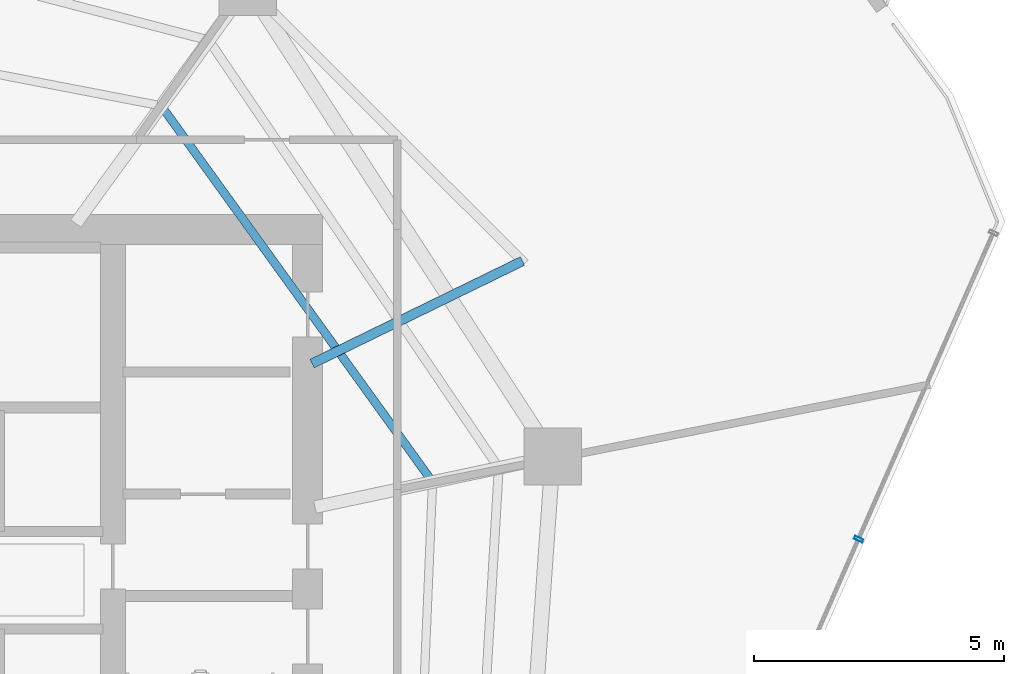
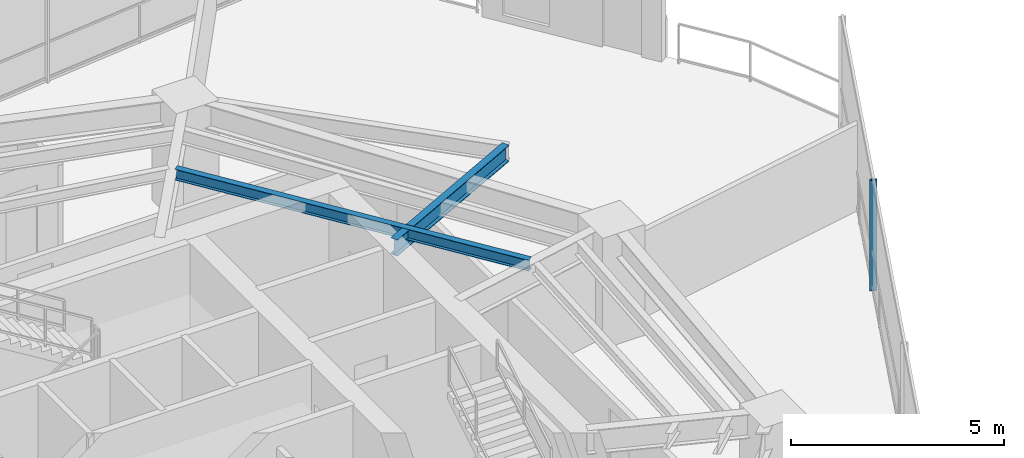
# One storey, part 14 of 30: 2 beams, 1 member, 1 element without a shape of its own.
"""IFC4 building model written with IfcOpenShell, lengths in metres."""

import ifcopenshell
import ifcopenshell.guid

model = None  # the IFC model being written
_history = None  # IfcOwnerHistory: only IFC2X3 demands one
_inside = {}  # id of a spatial element -> (the spatial element, [elements in it])
_under = {}  # id of a project, library or spatial element -> (it, [spatial elements below it])
_declared = {}  # id of a project -> (the project, [libraries it declares])
_typed = {}  # id of a type object -> (the type object, [elements of that type])
_made_of = {}  # id of a material, layer set ... -> (it, [elements and type objects made of it])


def new_model(schema):
    """Start an empty IFC model of exactly this schema.

    Asked for "IFC4X3", IfcOpenShell would pick the latest addendum, in which some entities
    have other attributes; the version numbers below select the first issue.
    IFC2X3 requires an IfcOwnerHistory on every rooted entity: one is made here for all.
    """
    global model, _history
    if schema == "IFC4X3":
        model = ifcopenshell.file(schema_version=(4, 3, 0, 0))
    else:
        model = ifcopenshell.file(schema=schema)
    _inside.clear()
    _under.clear()
    _declared.clear()
    _typed.clear()
    _made_of.clear()
    _history = None
    if model.schema == "IFC2X3":
        org = make("IfcOrganization", Name="unknown")
        user = make(
            "IfcPersonAndOrganization",
            ThePerson=make("IfcPerson", FamilyName="unknown"),
            TheOrganization=org,
        )
        app = make(
            "IfcApplication",
            ApplicationDeveloper=org,
            Version="unknown",
            ApplicationFullName="unknown",
            ApplicationIdentifier="unknown",
        )
        _history = make(
            "IfcOwnerHistory",
            OwningUser=user,
            OwningApplication=app,
            ChangeAction="ADDED",
            CreationDate=0,
        )
    return model


def make(cls, **values):
    """One entity of the class cls with the attributes given. An attribute that is None is left unset."""
    return model.create_entity(
        cls, **{name: value for name, value in values.items() if value is not None}
    )


def rooted(cls, **values):
    """An entity with a GlobalId (a new one), such as an element, a storey or a relation."""
    return make(cls, GlobalId=ifcopenshell.guid.new(), OwnerHistory=_history, **values)


def si_unit(unit_type, name, prefix=None):
    """IfcSIUnit, for example si_unit("LENGTHUNIT", "METRE", prefix="MILLI")."""
    return make("IfcSIUnit", UnitType=unit_type, Prefix=prefix, Name=name)


def assignment(units):
    """IfcUnitAssignment: the units of a project."""
    return None if units is None else make("IfcUnitAssignment", Units=units)


def point(xyz):
    """IfcCartesianPoint."""
    return None if xyz is None else make("IfcCartesianPoint", Coordinates=xyz)


def direction(xyz):
    """IfcDirection."""
    return None if xyz is None else make("IfcDirection", DirectionRatios=xyz)


def frame(location, z_axis=None, x_axis=None):
    """IfcAxis2Placement3D, a coordinate frame: its origin and axes. An axis left out is left unset."""
    return make(
        "IfcAxis2Placement3D",
        Location=point(location),
        Axis=direction(z_axis),
        RefDirection=direction(x_axis),
    )


def frame_2d(location, x_axis=None):
    """IfcAxis2Placement2D, a coordinate frame in the plane: its origin and x axis."""
    return make(
        "IfcAxis2Placement2D", Location=point(location), RefDirection=direction(x_axis)
    )


def origin():
    """The frame at (0, 0, 0) with its axes left unset."""
    return frame((0.0, 0.0, 0.0))


def origin_2d():
    """The frame at (0, 0) in the plane with its x axis left unset."""
    return frame_2d((0.0, 0.0))


def place(relative_to, where):
    """IfcLocalPlacement: puts the frame where relative to a parent placement (None: the world)."""
    return make(
        "IfcLocalPlacement", PlacementRelTo=relative_to, RelativePlacement=where
    )


def context(
    kind, dimensions, precision=None, world=None, true_north=None, identifier=None
):
    """IfcGeometricRepresentationContext, for example the 3D "Model" context."""
    return make(
        "IfcGeometricRepresentationContext",
        ContextIdentifier=identifier,
        ContextType=kind,
        CoordinateSpaceDimension=dimensions,
        Precision=precision,
        WorldCoordinateSystem=world,
        TrueNorth=true_north,
    )


def subcontext(parent, identifier, kind, view, scale=None):
    """IfcGeometricRepresentationSubContext, for example "Body" below "Model"."""
    return make(
        "IfcGeometricRepresentationSubContext",
        ContextIdentifier=identifier,
        ContextType=kind,
        ParentContext=parent,
        TargetScale=scale,
        TargetView=view,
    )


def project(units=None, contexts=None):
    """IfcProject with its units and contexts."""
    return rooted(
        "IfcProject",
        Name="project",
        RepresentationContexts=contexts,
        UnitsInContext=assignment(units),
    )


def spatial(cls, under=None, at=None, **own):
    """A site, building, storey or space (cls), placed at a placement, below another one or the project."""
    s = rooted(cls, ObjectPlacement=at, **own)
    if under is not None:
        _under.setdefault(under.id(), (under, []))[1].append(s)
    return s


def profile(cls, at=None, kind="AREA", **sizes):
    """A parametric profile (cls). Its sizes go by their IFC names, for example OverallWidth=200.0."""
    return make(cls, ProfileType=kind, Position=at, **sizes)


def hollow_rectangle(**sizes):
    """IfcRectangleHollowProfileDef."""
    return profile("IfcRectangleHollowProfileDef", **sizes)


def i_section(**sizes):
    """IfcIShapeProfileDef."""
    return profile("IfcIShapeProfileDef", **sizes)


def extrude(swept, where, along, depth):
    """IfcExtrudedAreaSolid: the profile swept, set in the frame where, extruded along a direction by depth."""
    return make(
        "IfcExtrudedAreaSolid",
        SweptArea=swept,
        Position=where,
        ExtrudedDirection=direction(along),
        Depth=depth,
    )


def shape(context_of_items, identifier, shape_type, items):
    """IfcShapeRepresentation: the items that make up one representation, for example the "Body"."""
    return make(
        "IfcShapeRepresentation",
        ContextOfItems=context_of_items,
        RepresentationIdentifier=identifier,
        RepresentationType=shape_type,
        Items=items,
    )


def material(Name=None, Category=None):
    """IfcMaterial."""
    return make("IfcMaterial", Name=Name, Category=Category)


def layer(
    of_material, thickness, ventilated=None, Name=None, Category=None, Priority=None
):
    """IfcMaterialLayer: one layer of a wall or slab, of a material (None: an air gap)."""
    return make(
        "IfcMaterialLayer",
        Material=of_material,
        LayerThickness=thickness,
        IsVentilated=ventilated,
        Name=Name,
        Category=Category,
        Priority=Priority,
    )


def layer_set(layers, Name=None):
    """IfcMaterialLayerSet."""
    return make("IfcMaterialLayerSet", MaterialLayers=layers, LayerSetName=Name)


def material_profile(
    of_material, cross_section, Name=None, Category=None, Priority=None
):
    """IfcMaterialProfile: a cross section and its material."""
    return make(
        "IfcMaterialProfile",
        Name=Name,
        Material=of_material,
        Profile=cross_section,
        Priority=Priority,
        Category=Category,
    )


def profile_set(profiles, Name=None, composite=None):
    """IfcMaterialProfileSet."""
    return make(
        "IfcMaterialProfileSet",
        Name=Name,
        MaterialProfiles=profiles,
        CompositeProfile=composite,
    )


def made_of(thing, what):
    """Note that an element or type object is made of a material, layer set ...; save() writes the relation."""
    if what is not None:
        _made_of.setdefault(what.id(), (what, []))[1].append(thing)
    return thing


def type_object(cls, material=None, **own):
    """A type object (cls), such as IfcWallType, which elements share."""
    return made_of(rooted(cls, **own), material)


def element(
    cls,
    number,
    at=None,
    inside=None,
    cuts=None,
    type_object=None,
    material=None,
    context=None,
    identifier="Body",
    shape_type=None,
    held_by="IfcProductDefinitionShape",
    body=None,
    shapes=None,
    **own,
):
    """One element of the class cls, such as IfcWall. Its Tag is "e" and its number.

    at: its placement. inside: the storey or other place that contains it. cuts: it is an
    opening in that element (IfcRelVoidsElement). A single representation is given by context,
    identifier, shape_type and body (its items); several are given by shapes. held_by: the class
    of the entity that holds the representations. save() writes the other relations.
    """
    e = rooted(cls, Tag="e%d" % number, ObjectPlacement=at, **own)
    if body is not None:
        shapes = [shape(context, identifier, shape_type, body)]
    if shapes is not None:
        e.Representation = make(held_by, Representations=shapes)
    if inside is not None:
        _inside.setdefault(inside.id(), (inside, []))[1].append(e)
    if cuts is not None:
        rooted(
            "IfcRelVoidsElement", RelatingBuildingElement=cuts, RelatedOpeningElement=e
        )
    if type_object is not None:
        _typed.setdefault(type_object.id(), (type_object, []))[1].append(e)
    return made_of(e, material)


def aggregate(whole, parts):
    """IfcRelAggregates: a whole, such as a stair, and the parts it consists of."""
    return rooted("IfcRelAggregates", RelatingObject=whole, RelatedObjects=parts)


def save(model, path):
    """Write the relations noted so far, then the file.

    IfcRelAggregates (storeys below a building ...), IfcRelContainedInSpatialStructure (elements
    in a storey), IfcRelDefinesByType, IfcRelAssociatesMaterial and IfcRelDeclares: one each for
    every whole, place, type object, material and project.
    """
    for whole, parts in _under.values():
        aggregate(whole, parts)
    for where, things in _inside.values():
        rooted(
            "IfcRelContainedInSpatialStructure",
            RelatedElements=things,
            RelatingStructure=where,
        )
    for kind, things in _typed.values():
        rooted("IfcRelDefinesByType", RelatedObjects=things, RelatingType=kind)
    for what, things in _made_of.values():
        rooted("IfcRelAssociatesMaterial", RelatedObjects=things, RelatingMaterial=what)
    for by, libraries in _declared.values():
        rooted("IfcRelDeclares", RelatingContext=by, RelatedDefinitions=libraries)
    model.write(path)


model = new_model("IFC4")

# Units and contexts
model_context = context("Model", 3, precision=1e-05, world=origin(), true_north=direction((0.0, 1.0)))
body_context = subcontext(model_context, "Body", "Model", "MODEL_VIEW")
ifc_project = project(units=[si_unit("LENGTHUNIT", "METRE"), si_unit("AREAUNIT", "SQUARE_METRE"), si_unit("VOLUMEUNIT", "CUBIC_METRE"), si_unit("PLANEANGLEUNIT", "RADIAN"), si_unit("MASSUNIT", "GRAM", prefix="KILO")], contexts=[model_context])

# Site, building, storey
site_placement = place(None, origin())
site = spatial("IfcSite", under=ifc_project, at=site_placement, CompositionType="ELEMENT")
building_placement = place(site_placement, origin())
building = spatial("IfcBuilding", under=site, at=building_placement, Name="Qarnah Convention Tower", CompositionType="ELEMENT")
storey_placement = place(building_placement, frame((0.0, 0.0, 90.14990234375)))
storey = spatial("IfcBuildingStorey", under=building, at=storey_placement, Name="L23", CompositionType="ELEMENT", Elevation=90.14990234375)

# Beams
ifc_material_1 = material(Name="Structural steel S355JR", Category="steel")
ifc_material_profile_1 = material_profile(ifc_material_1, i_section(OverallWidth=0.19189453125, OverallDepth=0.464111328125, WebThickness=0.010986328125, FlangeThickness=0.01806640625, at=origin_2d()), Name="W460X89")
ifc_profile_set_1 = profile_set([ifc_material_profile_1], Name="Structural steel S355JR")
beam_type_1 = type_object("IfcBeamType", Name="BM-CANT-W460A", PredefinedType="BEAM", material=ifc_profile_set_1)
beam_1_placement = place(storey_placement, frame((47.68994140625, 31.51611328125, 2.93798828125), z_axis=(0.898872044655, 0.438211190339, 0.0), x_axis=(-0.438211190339, 0.898872044655, 0.0)))
element("IfcBeam", 1, at=beam_1_placement, inside=storey, type_object=beam_type_1, Name="L23 beam BM-L23-CNT-01-2", PredefinedType="BEAM", context=body_context, shape_type="SweptSolid", body=[
    extrude(i_section(OverallWidth=0.19189453125, OverallDepth=0.464111328125, WebThickness=0.010986328125, FlangeThickness=0.01806640625, at=origin_2d()), origin(), (0.0, 0.0, 1.0), 4.687255859375),
])
ifc_material_profile_2 = material_profile(ifc_material_1, i_section(OverallWidth=0.166015625, OverallDepth=0.31201171875, WebThickness=0.007080078125, FlangeThickness=0.010986328125, at=origin_2d()), Name="W310X45")
ifc_profile_set_2 = profile_set([ifc_material_profile_2], Name="Structural steel S355JR")
beam_type_2 = type_object("IfcBeamType", Name="BM-JST-W310", PredefinedType="JOIST", material=ifc_profile_set_2)
beam_2_placement = place(storey_placement, frame((50.050048828125, 29.216064453125, 3.01416015625), z_axis=(-0.584910233528, 0.81109803274, 0.0), x_axis=(-0.81109803274, -0.584910233528, 0.0)))
element("IfcBeam", 2, at=beam_2_placement, inside=storey, type_object=beam_type_2, Name="L23 joist BM-L23-IJST-01", PredefinedType="JOIST", context=body_context, shape_type="SweptSolid", body=[
    extrude(i_section(OverallWidth=0.166015625, OverallDepth=0.31201171875, WebThickness=0.007080078125, FlangeThickness=0.010986328125, at=origin_2d()), origin(), (0.0, 0.0, 1.0), 9.111083984375),
])

# Curtain wall, member
ifc_material_2 = material(Name="Tempered Low-E dark glass", Category="glass")
ifc_layer = layer(ifc_material_2, 0.169921875)
ifc_layer_set = layer_set([ifc_layer], Name="Tempered Low-E dark glass")
curtain_wall_type = type_object("IfcCurtainWallType", Name="CWS-02", PredefinedType="NOTDEFINED", material=ifc_layer_set)
curtain_wall_placement = place(storey_placement, origin())
curtain_wall = element("IfcCurtainWall", 3, at=curtain_wall_placement, inside=storey, type_object=curtain_wall_type, Name="L23 unitised curtain wall CW-L23-F2", PredefinedType="NOTDEFINED")
ifc_material_3 = material(Name="Black anodised aluminium", Category="aluminium")
ifc_material_profile_3 = material_profile(ifc_material_3, hollow_rectangle(XDim=0.06494140625, YDim=0.179931640625, WallThickness=0.00390625, at=origin_2d()), Name="MUL-65X180")
ifc_profile_set_3 = profile_set([ifc_material_profile_3], Name="Black anodised aluminium")
member_type = type_object("IfcMemberType", Name="MUL-T2", PredefinedType="MULLION", material=ifc_profile_set_3)
member_placement = place(storey_placement, frame((58.63916015625, 27.9970703125, 0.0), z_axis=(0.0, 0.0, 1.0), x_axis=(-0.402913592041, -0.915238022237, 0.0)))
member = element("IfcMember", 4, at=member_placement, type_object=member_type, Name="CW-L23-F2 mullion 2", PredefinedType="MULLION", context=body_context, shape_type="SweptSolid", body=[
    extrude(hollow_rectangle(XDim=0.06494140625, YDim=0.179931640625, WallThickness=0.00390625, at=origin_2d()), origin(), (0.0, 0.0, 1.0), 3.170166015625),
])
aggregate(curtain_wall, [member])

save(model, "model.ifc")
